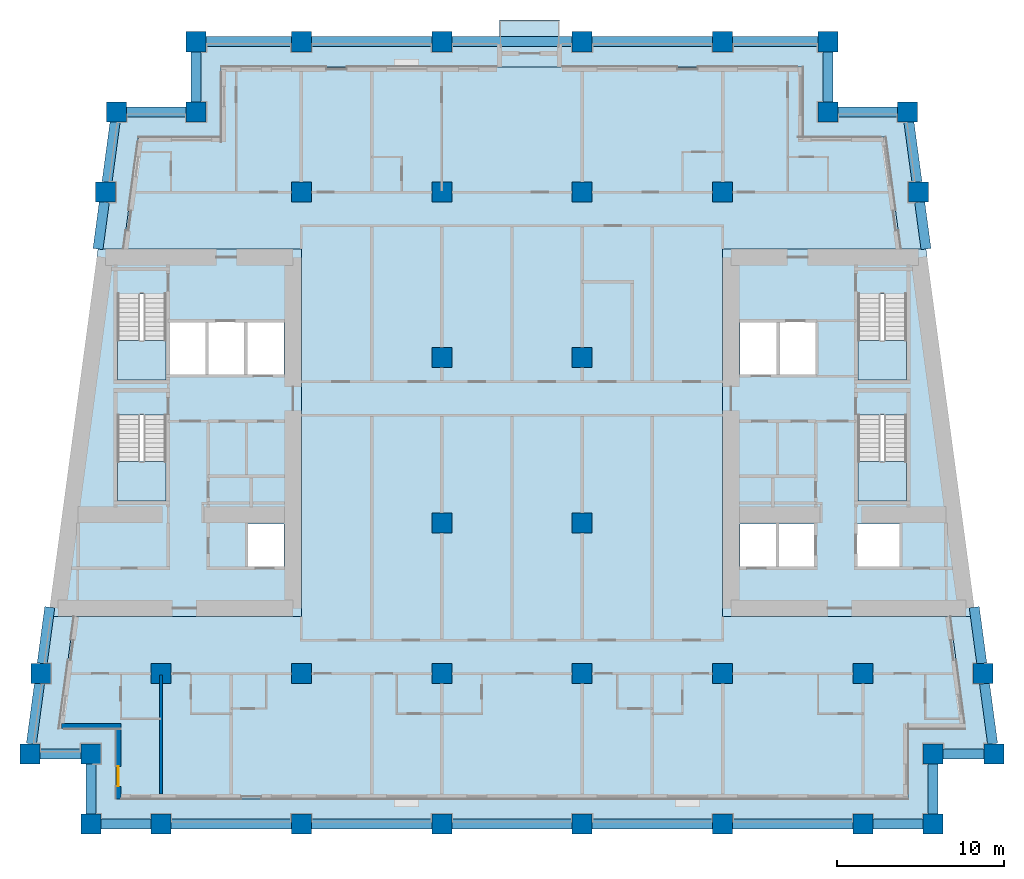
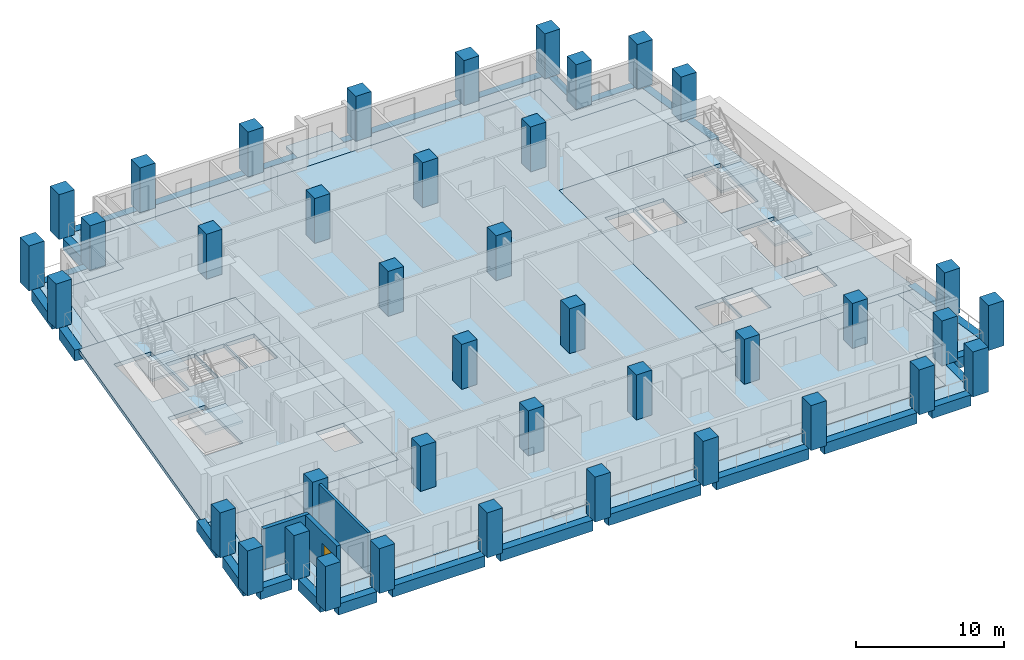
# One storey, part 1 of 13: 40 columns, 28 beams, 10 slabs, 3 walls, 1 door, 1 opening, 4 elements without a shape of their own.
"""IFC4 building model written with IfcOpenShell, lengths in metres."""

import ifcopenshell
import ifcopenshell.guid

model = None  # the IFC model being written
_history = None  # IfcOwnerHistory: only IFC2X3 demands one
_inside = {}  # id of a spatial element -> (the spatial element, [elements in it])
_under = {}  # id of a project, library or spatial element -> (it, [spatial elements below it])
_declared = {}  # id of a project -> (the project, [libraries it declares])
_typed = {}  # id of a type object -> (the type object, [elements of that type])
_made_of = {}  # id of a material, layer set ... -> (it, [elements and type objects made of it])


def new_model(schema):
    """Start an empty IFC model of exactly this schema.

    Asked for "IFC4X3", IfcOpenShell would pick the latest addendum, in which some entities
    have other attributes; the version numbers below select the first issue.
    IFC2X3 requires an IfcOwnerHistory on every rooted entity: one is made here for all.
    """
    global model, _history
    if schema == "IFC4X3":
        model = ifcopenshell.file(schema_version=(4, 3, 0, 0))
    else:
        model = ifcopenshell.file(schema=schema)
    _inside.clear()
    _under.clear()
    _declared.clear()
    _typed.clear()
    _made_of.clear()
    _history = None
    if model.schema == "IFC2X3":
        org = make("IfcOrganization", Name="unknown")
        user = make(
            "IfcPersonAndOrganization",
            ThePerson=make("IfcPerson", FamilyName="unknown"),
            TheOrganization=org,
        )
        app = make(
            "IfcApplication",
            ApplicationDeveloper=org,
            Version="unknown",
            ApplicationFullName="unknown",
            ApplicationIdentifier="unknown",
        )
        _history = make(
            "IfcOwnerHistory",
            OwningUser=user,
            OwningApplication=app,
            ChangeAction="ADDED",
            CreationDate=0,
        )
    return model


def make(cls, **values):
    """One entity of the class cls with the attributes given. An attribute that is None is left unset."""
    return model.create_entity(
        cls, **{name: value for name, value in values.items() if value is not None}
    )


def rooted(cls, **values):
    """An entity with a GlobalId (a new one), such as an element, a storey or a relation."""
    return make(cls, GlobalId=ifcopenshell.guid.new(), OwnerHistory=_history, **values)


def si_unit(unit_type, name, prefix=None):
    """IfcSIUnit, for example si_unit("LENGTHUNIT", "METRE", prefix="MILLI")."""
    return make("IfcSIUnit", UnitType=unit_type, Prefix=prefix, Name=name)


def assignment(units):
    """IfcUnitAssignment: the units of a project."""
    return None if units is None else make("IfcUnitAssignment", Units=units)


def point(xyz):
    """IfcCartesianPoint."""
    return None if xyz is None else make("IfcCartesianPoint", Coordinates=xyz)


def direction(xyz):
    """IfcDirection."""
    return None if xyz is None else make("IfcDirection", DirectionRatios=xyz)


def frame(location, z_axis=None, x_axis=None):
    """IfcAxis2Placement3D, a coordinate frame: its origin and axes. An axis left out is left unset."""
    return make(
        "IfcAxis2Placement3D",
        Location=point(location),
        Axis=direction(z_axis),
        RefDirection=direction(x_axis),
    )


def frame_2d(location, x_axis=None):
    """IfcAxis2Placement2D, a coordinate frame in the plane: its origin and x axis."""
    return make(
        "IfcAxis2Placement2D", Location=point(location), RefDirection=direction(x_axis)
    )


def origin():
    """The frame at (0, 0, 0) with its axes left unset."""
    return frame((0.0, 0.0, 0.0))


def origin_2d():
    """The frame at (0, 0) in the plane with its x axis left unset."""
    return frame_2d((0.0, 0.0))


def place(relative_to, where):
    """IfcLocalPlacement: puts the frame where relative to a parent placement (None: the world)."""
    return make(
        "IfcLocalPlacement", PlacementRelTo=relative_to, RelativePlacement=where
    )


def context(
    kind, dimensions, precision=None, world=None, true_north=None, identifier=None
):
    """IfcGeometricRepresentationContext, for example the 3D "Model" context."""
    return make(
        "IfcGeometricRepresentationContext",
        ContextIdentifier=identifier,
        ContextType=kind,
        CoordinateSpaceDimension=dimensions,
        Precision=precision,
        WorldCoordinateSystem=world,
        TrueNorth=true_north,
    )


def subcontext(parent, identifier, kind, view, scale=None):
    """IfcGeometricRepresentationSubContext, for example "Body" below "Model"."""
    return make(
        "IfcGeometricRepresentationSubContext",
        ContextIdentifier=identifier,
        ContextType=kind,
        ParentContext=parent,
        TargetScale=scale,
        TargetView=view,
    )


def project(units=None, contexts=None):
    """IfcProject with its units and contexts."""
    return rooted(
        "IfcProject",
        Name="project",
        RepresentationContexts=contexts,
        UnitsInContext=assignment(units),
    )


def spatial(cls, under=None, at=None, **own):
    """A site, building, storey or space (cls), placed at a placement, below another one or the project."""
    s = rooted(cls, ObjectPlacement=at, **own)
    if under is not None:
        _under.setdefault(under.id(), (under, []))[1].append(s)
    return s


def polyline(points):
    """IfcPolyline through the points."""
    return make("IfcPolyline", Points=[point(p) for p in points])


def profile(cls, at=None, kind="AREA", **sizes):
    """A parametric profile (cls). Its sizes go by their IFC names, for example OverallWidth=200.0."""
    return make(cls, ProfileType=kind, Position=at, **sizes)


def rectangle(**sizes):
    """IfcRectangleProfileDef."""
    return profile("IfcRectangleProfileDef", **sizes)


def outline(outer, holes=None, kind="AREA"):
    """IfcArbitraryClosedProfileDef: a profile drawn as a closed curve; with holes, ...WithVoids."""
    if holes is None:
        return make("IfcArbitraryClosedProfileDef", ProfileType=kind, OuterCurve=outer)
    return make(
        "IfcArbitraryProfileDefWithVoids",
        ProfileType=kind,
        OuterCurve=outer,
        InnerCurves=holes,
    )


def extrude(swept, where, along, depth):
    """IfcExtrudedAreaSolid: the profile swept, set in the frame where, extruded along a direction by depth."""
    return make(
        "IfcExtrudedAreaSolid",
        SweptArea=swept,
        Position=where,
        ExtrudedDirection=direction(along),
        Depth=depth,
    )


def shape(context_of_items, identifier, shape_type, items):
    """IfcShapeRepresentation: the items that make up one representation, for example the "Body"."""
    return make(
        "IfcShapeRepresentation",
        ContextOfItems=context_of_items,
        RepresentationIdentifier=identifier,
        RepresentationType=shape_type,
        Items=items,
    )


def material(Name=None, Category=None):
    """IfcMaterial."""
    return make("IfcMaterial", Name=Name, Category=Category)


def layer(
    of_material, thickness, ventilated=None, Name=None, Category=None, Priority=None
):
    """IfcMaterialLayer: one layer of a wall or slab, of a material (None: an air gap)."""
    return make(
        "IfcMaterialLayer",
        Material=of_material,
        LayerThickness=thickness,
        IsVentilated=ventilated,
        Name=Name,
        Category=Category,
        Priority=Priority,
    )


def layer_set(layers, Name=None):
    """IfcMaterialLayerSet."""
    return make("IfcMaterialLayerSet", MaterialLayers=layers, LayerSetName=Name)


def material_profile(
    of_material, cross_section, Name=None, Category=None, Priority=None
):
    """IfcMaterialProfile: a cross section and its material."""
    return make(
        "IfcMaterialProfile",
        Name=Name,
        Material=of_material,
        Profile=cross_section,
        Priority=Priority,
        Category=Category,
    )


def profile_set(profiles, Name=None, composite=None):
    """IfcMaterialProfileSet."""
    return make(
        "IfcMaterialProfileSet",
        Name=Name,
        MaterialProfiles=profiles,
        CompositeProfile=composite,
    )


def made_of(thing, what):
    """Note that an element or type object is made of a material, layer set ...; save() writes the relation."""
    if what is not None:
        _made_of.setdefault(what.id(), (what, []))[1].append(thing)
    return thing


def type_object(cls, material=None, **own):
    """A type object (cls), such as IfcWallType, which elements share."""
    return made_of(rooted(cls, **own), material)


def element(
    cls,
    number,
    at=None,
    inside=None,
    cuts=None,
    type_object=None,
    material=None,
    context=None,
    identifier="Body",
    shape_type=None,
    held_by="IfcProductDefinitionShape",
    body=None,
    shapes=None,
    **own,
):
    """One element of the class cls, such as IfcWall. Its Tag is "e" and its number.

    at: its placement. inside: the storey or other place that contains it. cuts: it is an
    opening in that element (IfcRelVoidsElement). A single representation is given by context,
    identifier, shape_type and body (its items); several are given by shapes. held_by: the class
    of the entity that holds the representations. save() writes the other relations.
    """
    e = rooted(cls, Tag="e%d" % number, ObjectPlacement=at, **own)
    if body is not None:
        shapes = [shape(context, identifier, shape_type, body)]
    if shapes is not None:
        e.Representation = make(held_by, Representations=shapes)
    if inside is not None:
        _inside.setdefault(inside.id(), (inside, []))[1].append(e)
    if cuts is not None:
        rooted(
            "IfcRelVoidsElement", RelatingBuildingElement=cuts, RelatedOpeningElement=e
        )
    if type_object is not None:
        _typed.setdefault(type_object.id(), (type_object, []))[1].append(e)
    return made_of(e, material)


def fill(opening, filler):
    """IfcRelFillsElement: the door or window that sits in an opening."""
    return rooted(
        "IfcRelFillsElement",
        RelatingOpeningElement=opening,
        RelatedBuildingElement=filler,
    )


def aggregate(whole, parts):
    """IfcRelAggregates: a whole, such as a stair, and the parts it consists of."""
    return rooted("IfcRelAggregates", RelatingObject=whole, RelatedObjects=parts)


def save(model, path):
    """Write the relations noted so far, then the file.

    IfcRelAggregates (storeys below a building ...), IfcRelContainedInSpatialStructure (elements
    in a storey), IfcRelDefinesByType, IfcRelAssociatesMaterial and IfcRelDeclares: one each for
    every whole, place, type object, material and project.
    """
    for whole, parts in _under.values():
        aggregate(whole, parts)
    for where, things in _inside.values():
        rooted(
            "IfcRelContainedInSpatialStructure",
            RelatedElements=things,
            RelatingStructure=where,
        )
    for kind, things in _typed.values():
        rooted("IfcRelDefinesByType", RelatedObjects=things, RelatingType=kind)
    for what, things in _made_of.values():
        rooted("IfcRelAssociatesMaterial", RelatedObjects=things, RelatingMaterial=what)
    for by, libraries in _declared.values():
        rooted("IfcRelDeclares", RelatingContext=by, RelatedDefinitions=libraries)
    model.write(path)


model = new_model("IFC4")

# Units and contexts
model_context = context("Model", 3, precision=1e-05, world=origin(), true_north=direction((0.0, 1.0)))
body_context = subcontext(model_context, "Body", "Model", "MODEL_VIEW")
ifc_project = project(units=[si_unit("LENGTHUNIT", "METRE"), si_unit("AREAUNIT", "SQUARE_METRE"), si_unit("VOLUMEUNIT", "CUBIC_METRE"), si_unit("PLANEANGLEUNIT", "RADIAN"), si_unit("MASSUNIT", "GRAM", prefix="KILO")], contexts=[model_context])

# Site, building, storey
site_placement = place(None, origin())
site = spatial("IfcSite", under=ifc_project, at=site_placement, CompositionType="ELEMENT")
building_placement = place(site_placement, origin())
building = spatial("IfcBuilding", under=site, at=building_placement, Name="Candeia Pilgrim Tower and Theatre", CompositionType="ELEMENT")
storey_placement = place(building_placement, frame((0.0, 0.0, 102.10009765625)))
storey = spatial("IfcBuildingStorey", under=building, at=storey_placement, Name="L23", CompositionType="ELEMENT", Elevation=102.10009765625)

# Columns
ifc_material_1 = material(Name="Concrete C70/85", Category="concrete")
ifc_material_profile_1 = material_profile(ifc_material_1, rectangle(XDim=1.199951171875, YDim=1.199951171875, at=origin_2d()))
ifc_profile_set_1 = profile_set([ifc_material_profile_1], Name="Concrete C70/85")
column_type = type_object("IfcColumnType", Name="RC 1200x1200 C70/85", PredefinedType="COLUMN", material=ifc_profile_set_1)
for number, where, z_axis, x_axis, name in (
    (1, (92.39990234375, 98.0, 0.0), (0.0, 0.0, 1.0), (1.0, 0.0, 0.0), "Column A1"),
    (2, (100.800048828125, 98.0, 0.0), (0.0, 0.0, 1.0), (1.0, 0.0, 0.0), "Column A2"),
    (3, (109.199951171875, 98.0, 0.0), (0.0, 0.0, 1.0), (1.0, 0.0, 0.0), "Column A3"),
    (4, (117.60009765625, 98.0, 0.0), (0.0, 0.0, 1.0), (1.0, 0.0, 0.0), "Column A4"),
    (5, (126.0, 98.0, 0.0), (0.0, 0.0, 1.0), (1.0, 0.0, 0.0), "Column A5"),
    (6, (134.39990234375, 98.0, 0.0), (0.0, 0.0, 1.0), (1.0, 0.0, 0.0), "Column A6"),
    (7, (88.199951171875, 98.0, 0.0), (0.0, 0.0, 1.0), (1.0, 0.0, 0.0), "Column AW"),
    (8, (138.60009765625, 98.0, 0.0), (0.0, 0.0, 1.0), (1.0, 0.0, 0.0), "Column AE"),
    (9, (88.199951171875, 102.199951171875, 0.0), (0.0, 0.0, 1.0), (1.0, 0.0, 0.0), "Column NSW"),
    (10, (138.60009765625, 102.199951171875, 0.0), (0.0, 0.0, 1.0), (1.0, 0.0, 0.0), "Column NSE"),
    (11, (94.5, 140.60009765625, 0.0), (0.0, 0.0, 1.0), (1.0, 0.0, 0.0), "Column NNW"),
    (12, (132.300048828125, 140.60009765625, 0.0), (0.0, 0.0, 1.0), (1.0, 0.0, 0.0), "Column NNE"),
    (13, (84.5654296875, 102.199951171875, 0.0), (0.0, 0.0, 1.0), (1.0, 0.0, 0.0), "Column LSW"),
    (14, (142.234619140625, 102.199951171875, 0.0), (0.0, 0.0, 1.0), (1.0, 0.0, 0.0), "Column LSE"),
    (15, (89.734619140625, 140.60009765625, 0.0), (0.0, 0.0, 1.0), (1.0, 0.0, 0.0), "Column LNW"),
    (16, (137.0654296875, 140.60009765625, 0.0), (0.0, 0.0, 1.0), (1.0, 0.0, 0.0), "Column LNE"),
    (17, (92.39990234375, 107.0, 0.0), (0.0, 0.0, 1.0), (1.0, 0.0, 0.0), "Column B1"),
    (18, (100.800048828125, 107.0, 0.0), (0.0, 0.0, 1.0), (1.0, 0.0, 0.0), "Column B2"),
    (19, (109.199951171875, 107.0, 0.0), (0.0, 0.0, 1.0), (1.0, 0.0, 0.0), "Column B3"),
    (20, (117.60009765625, 107.0, 0.0), (0.0, 0.0, 1.0), (1.0, 0.0, 0.0), "Column B4"),
    (21, (126.0, 107.0, 0.0), (0.0, 0.0, 1.0), (1.0, 0.0, 0.0), "Column B5"),
    (22, (134.39990234375, 107.0, 0.0), (0.0, 0.0, 1.0), (1.0, 0.0, 0.0), "Column B6"),
    (23, (85.21142578125, 107.0, 0.0), (0.0, 0.0, 1.0), (1.0, 0.0, 0.0), "Column BW"),
    (24, (141.58837890625, 107.0, 0.0), (0.0, 0.0, 1.0), (1.0, 0.0, 0.0), "Column BE"),
    (25, (109.199951171875, 116.0, 0.0), (0.0, 0.0, 1.0), (1.0, 0.0, 0.0), "Column C3"),
    (26, (117.60009765625, 116.0, 0.0), (0.0, 0.0, 1.0), (1.0, 0.0, 0.0), "Column C4"),
    (27, (109.199951171875, 125.89990234375, 0.0), (0.0, 0.0, 1.0), (1.0, 0.0, 0.0), "Column D3"),
    (28, (117.60009765625, 125.89990234375, 0.0), (0.0, 0.0, 1.0), (1.0, 0.0, 0.0), "Column D4"),
    (29, (100.800048828125, 135.800048828125, 0.0), (0.0, 0.0, 1.0), (1.0, 0.0, 0.0), "Column E2"),
    (30, (109.199951171875, 135.800048828125, 0.0), (0.0, 0.0, 1.0), (1.0, 0.0, 0.0), "Column E3"),
    (31, (117.60009765625, 135.800048828125, 0.0), (0.0, 0.0, 1.0), (1.0, 0.0, 0.0), "Column E4"),
    (32, (126.0, 135.800048828125, 0.0), (0.0, 0.0, 1.0), (1.0, 0.0, 0.0), "Column E5"),
    (33, (89.08837890625, 135.800048828125, 0.0), (0.0, 0.0, 1.0), (1.0, 0.0, 0.0), "Column EW"),
    (34, (137.71142578125, 135.800048828125, 0.0), (0.0, 0.0, 1.0), (1.0, 0.0, 0.0), "Column EE"),
    (35, (100.800048828125, 144.800048828125, 0.0), (0.0, 0.0, 1.0), (1.0, 0.0, 0.0), "Column F2"),
    (36, (109.199951171875, 144.800048828125, 0.0), (0.0, 0.0, 1.0), (1.0, 0.0, 0.0), "Column F3"),
    (37, (117.60009765625, 144.800048828125, 0.0), (0.0, 0.0, 1.0), (1.0, 0.0, 0.0), "Column F4"),
    (38, (126.0, 144.800048828125, 0.0), (0.0, 0.0, 1.0), (1.0, 0.0, 0.0), "Column F5"),
    (39, (94.5, 144.800048828125, 0.0), (0.0, 0.0, 1.0), (1.0, 0.0, 0.0), "Column FW"),
    (40, (132.300048828125, 144.800048828125, 0.0), (0.0, 0.0, 1.0), (1.0, 0.0, 0.0), "Column FE"),
):
    element("IfcColumn", number, at=place(storey_placement, frame(where, z_axis=z_axis, x_axis=x_axis)), inside=storey, type_object=column_type, Name=name, PredefinedType="COLUMN", context=body_context, shape_type="SweptSolid", body=[
        extrude(rectangle(XDim=1.199951171875, YDim=1.199951171875, at=origin_2d()), origin(), (0.0, 0.0, 1.0), 3.699951171875),
    ])

# Beams
ifc_material_profile_2 = material_profile(ifc_material_1, rectangle(XDim=0.60009765625, YDim=0.89990234375, at=origin_2d()))
ifc_profile_set_2 = profile_set([ifc_material_profile_2], Name="Concrete C70/85")
beam_type = type_object("IfcBeamType", Name="RC 600x900 C70/85", PredefinedType="BEAM", material=ifc_profile_set_2)
beam_1_placement = place(storey_placement, frame((88.800048828125, 98.0, -0.4501953125), z_axis=(1.0, 0.0, 0.0), x_axis=(0.0, 1.0, 0.0)))
element("IfcBeam", 41, at=beam_1_placement, inside=storey, type_object=beam_type, Name="Spandrel beam L23-01", PredefinedType="BEAM", context=body_context, shape_type="SweptSolid", body=[
    extrude(rectangle(XDim=0.60009765625, YDim=0.89990234375, at=origin_2d()), origin(), (0.0, 0.0, 1.0), 3.0),
])
beam_2_placement = place(storey_placement, frame((93.0, 98.0, -0.4501953125), z_axis=(1.0, 0.0, 0.0), x_axis=(0.0, 1.0, 0.0)))
element("IfcBeam", 42, at=beam_2_placement, inside=storey, type_object=beam_type, Name="Spandrel beam L23-02", PredefinedType="BEAM", context=body_context, shape_type="SweptSolid", body=[
    extrude(rectangle(XDim=0.60009765625, YDim=0.89990234375, at=origin_2d()), origin(), (0.0, 0.0, 1.0), 7.199951171875),
])
beam_3_placement = place(storey_placement, frame((101.39990234375, 98.0, -0.4501953125), z_axis=(1.0, 0.0, 0.0), x_axis=(0.0, 1.0, 0.0)))
element("IfcBeam", 43, at=beam_3_placement, inside=storey, type_object=beam_type, Name="Spandrel beam L23-03", PredefinedType="BEAM", context=body_context, shape_type="SweptSolid", body=[
    extrude(rectangle(XDim=0.60009765625, YDim=0.89990234375, at=origin_2d()), origin(), (0.0, 0.0, 1.0), 7.2001953125),
])
for number, where, z_axis, x_axis, name in (
    (44, (109.800048828125, 98.0, -0.4501953125), (1.0, 0.0, 0.0), (0.0, 1.0, 0.0), "Spandrel beam L23-04"),
    (45, (118.199951171875, 98.0, -0.4501953125), (1.0, 0.0, 0.0), (0.0, 1.0, 0.0), "Spandrel beam L23-05"),
    (46, (126.60009765625, 98.0, -0.4501953125), (1.0, 0.0, 0.0), (0.0, 1.0, 0.0), "Spandrel beam L23-06"),
):
    element("IfcBeam", number, at=place(storey_placement, frame(where, z_axis=z_axis, x_axis=x_axis)), inside=storey, type_object=beam_type, Name=name, PredefinedType="BEAM", context=body_context, shape_type="SweptSolid", body=[
        extrude(rectangle(XDim=0.60009765625, YDim=0.89990234375, at=origin_2d()), origin(), (0.0, 0.0, 1.0), 7.199951171875),
    ])
for number, where, z_axis, x_axis, name in (
    (47, (135.0, 98.0, -0.4501953125), (1.0, 0.0, 0.0), (0.0, 1.0, 0.0), "Spandrel beam L23-07"),
    (48, (138.60009765625, 98.60009765625, -0.4501953125), (0.0, 1.0, 0.0), (-1.0, 0.0, 0.0), "Spandrel beam L23-08"),
):
    element("IfcBeam", number, at=place(storey_placement, frame(where, z_axis=z_axis, x_axis=x_axis)), inside=storey, type_object=beam_type, Name=name, PredefinedType="BEAM", context=body_context, shape_type="SweptSolid", body=[
        extrude(rectangle(XDim=0.60009765625, YDim=0.89990234375, at=origin_2d()), origin(), (0.0, 0.0, 1.0), 3.0),
    ])
beam_4_placement = place(storey_placement, frame((139.199951171875, 102.199951171875, -0.4501953125), z_axis=(1.0, 0.0, 0.0), x_axis=(0.0, 1.0, 0.0)))
element("IfcBeam", 49, at=beam_4_placement, inside=storey, type_object=beam_type, Name="Spandrel beam L23-09", PredefinedType="BEAM", context=body_context, shape_type="SweptSolid", body=[
    extrude(rectangle(XDim=0.60009765625, YDim=0.89990234375, at=origin_2d()), origin(), (0.0, 0.0, 1.0), 2.4345703125),
])
beam_5_placement = place(storey_placement, frame((142.15380859375, 102.800048828125, -0.4501953125), z_axis=(-0.133418359924, 0.991059807093, 0.0), x_axis=(-0.991059807093, -0.133418359924, 0.0)))
element("IfcBeam", 50, at=beam_5_placement, inside=storey, type_object=beam_type, Name="Spandrel beam L23-10", PredefinedType="BEAM", context=body_context, shape_type="SweptSolid", body=[
    extrude(rectangle(XDim=0.60009765625, YDim=0.89990234375, at=origin_2d()), origin(), (0.0, 0.0, 1.0), 3.63232421875),
])
beam_6_placement = place(storey_placement, frame((141.5078125, 107.60009765625, -0.4501953125), z_axis=(-0.133458165992, 0.99105444751, 0.0), x_axis=(-0.99105444751, -0.133458165992, 0.0)))
element("IfcBeam", 51, at=beam_6_placement, inside=storey, type_object=beam_type, Name="Spandrel beam L23-11", PredefinedType="BEAM", context=body_context, shape_type="SweptSolid", body=[
    extrude(rectangle(XDim=0.60009765625, YDim=0.89990234375, at=origin_2d()), origin(), (0.0, 0.0, 1.0), 3.39697265625),
])
beam_7_placement = place(storey_placement, frame((138.169189453125, 132.39990234375, -0.4501953125), z_axis=(-0.133420173099, 0.991059562998, 0.0), x_axis=(-0.991059562998, -0.133420173099, 0.0)))
element("IfcBeam", 52, at=beam_7_placement, inside=storey, type_object=beam_type, Name="Spandrel beam L23-12", PredefinedType="BEAM", context=body_context, shape_type="SweptSolid", body=[
    extrude(rectangle(XDim=0.60009765625, YDim=0.89990234375, at=origin_2d()), origin(), (0.0, 0.0, 1.0), 2.8251953125),
])
beam_8_placement = place(storey_placement, frame((137.630859375, 136.39990234375, -0.4501953125), z_axis=(-0.133409473196, 0.991061003401, 0.0), x_axis=(-0.991061003401, -0.133409473196, 0.0)))
element("IfcBeam", 53, at=beam_8_placement, inside=storey, type_object=beam_type, Name="Spandrel beam L23-13", PredefinedType="BEAM", context=body_context, shape_type="SweptSolid", body=[
    extrude(rectangle(XDim=0.60009765625, YDim=0.89990234375, at=origin_2d()), origin(), (0.0, 0.0, 1.0), 3.632568359375),
])
beam_9_placement = place(storey_placement, frame((136.46533203125, 140.60009765625, -0.4501953125), z_axis=(-1.0, 0.0, 0.0), x_axis=(0.0, -1.0, 0.0)))
element("IfcBeam", 54, at=beam_9_placement, inside=storey, type_object=beam_type, Name="Spandrel beam L23-14", PredefinedType="BEAM", context=body_context, shape_type="SweptSolid", body=[
    extrude(rectangle(XDim=0.60009765625, YDim=0.89990234375, at=origin_2d()), origin(), (0.0, 0.0, 1.0), 3.5654296875),
])
beam_10_placement = place(storey_placement, frame((132.300048828125, 141.199951171875, -0.4501953125), z_axis=(0.0, 1.0, 0.0), x_axis=(-1.0, 0.0, 0.0)))
element("IfcBeam", 55, at=beam_10_placement, inside=storey, type_object=beam_type, Name="Spandrel beam L23-15", PredefinedType="BEAM", context=body_context, shape_type="SweptSolid", body=[
    extrude(rectangle(XDim=0.60009765625, YDim=0.89990234375, at=origin_2d()), origin(), (0.0, 0.0, 1.0), 3.0),
])
beam_11_placement = place(storey_placement, frame((131.699951171875, 144.800048828125, -0.4501953125), z_axis=(-1.0, 0.0, 0.0), x_axis=(0.0, -1.0, 0.0)))
element("IfcBeam", 56, at=beam_11_placement, inside=storey, type_object=beam_type, Name="Spandrel beam L23-16", PredefinedType="BEAM", context=body_context, shape_type="SweptSolid", body=[
    extrude(rectangle(XDim=0.60009765625, YDim=0.89990234375, at=origin_2d()), origin(), (0.0, 0.0, 1.0), 5.099853515625),
])
for number, where, z_axis, x_axis, name in (
    (57, (125.39990234375, 144.800048828125, -0.4501953125), (-1.0, 0.0, 0.0), (0.0, -1.0, 0.0), "Spandrel beam L23-17"),
    (58, (117.0, 144.800048828125, -0.4501953125), (-1.0, 0.0, 0.0), (0.0, -1.0, 0.0), "Spandrel beam L23-18"),
):
    element("IfcBeam", number, at=place(storey_placement, frame(where, z_axis=z_axis, x_axis=x_axis)), inside=storey, type_object=beam_type, Name=name, PredefinedType="BEAM", context=body_context, shape_type="SweptSolid", body=[
        extrude(rectangle(XDim=0.60009765625, YDim=0.89990234375, at=origin_2d()), origin(), (0.0, 0.0, 1.0), 7.199951171875),
    ])
beam_12_placement = place(storey_placement, frame((108.60009765625, 144.800048828125, -0.4501953125), z_axis=(-1.0, 0.0, 0.0), x_axis=(0.0, -1.0, 0.0)))
element("IfcBeam", 59, at=beam_12_placement, inside=storey, type_object=beam_type, Name="Spandrel beam L23-19", PredefinedType="BEAM", context=body_context, shape_type="SweptSolid", body=[
    extrude(rectangle(XDim=0.60009765625, YDim=0.89990234375, at=origin_2d()), origin(), (0.0, 0.0, 1.0), 7.2001953125),
])
beam_13_placement = place(storey_placement, frame((100.199951171875, 144.800048828125, -0.4501953125), z_axis=(-1.0, 0.0, 0.0), x_axis=(0.0, -1.0, 0.0)))
element("IfcBeam", 60, at=beam_13_placement, inside=storey, type_object=beam_type, Name="Spandrel beam L23-20", PredefinedType="BEAM", context=body_context, shape_type="SweptSolid", body=[
    extrude(rectangle(XDim=0.60009765625, YDim=0.89990234375, at=origin_2d()), origin(), (0.0, 0.0, 1.0), 5.099853515625),
])
beam_14_placement = place(storey_placement, frame((94.5, 144.199951171875, -0.4501953125), z_axis=(0.0, -1.0, 0.0), x_axis=(1.0, 0.0, 0.0)))
element("IfcBeam", 61, at=beam_14_placement, inside=storey, type_object=beam_type, Name="Spandrel beam L23-21", PredefinedType="BEAM", context=body_context, shape_type="SweptSolid", body=[
    extrude(rectangle(XDim=0.60009765625, YDim=0.89990234375, at=origin_2d()), origin(), (0.0, 0.0, 1.0), 3.0),
])
beam_15_placement = place(storey_placement, frame((93.89990234375, 140.60009765625, -0.4501953125), z_axis=(-1.0, 0.0, 0.0), x_axis=(0.0, -1.0, 0.0)))
element("IfcBeam", 62, at=beam_15_placement, inside=storey, type_object=beam_type, Name="Spandrel beam L23-22", PredefinedType="BEAM", context=body_context, shape_type="SweptSolid", body=[
    extrude(rectangle(XDim=0.60009765625, YDim=0.89990234375, at=origin_2d()), origin(), (0.0, 0.0, 1.0), 3.565185546875),
])
beam_16_placement = place(storey_placement, frame((89.65380859375, 140.0, -0.4501953125), z_axis=(-0.133409473196, -0.991061003401, 0.0), x_axis=(0.991061003401, -0.133409473196, 0.0)))
element("IfcBeam", 63, at=beam_16_placement, inside=storey, type_object=beam_type, Name="Spandrel beam L23-23", PredefinedType="BEAM", context=body_context, shape_type="SweptSolid", body=[
    extrude(rectangle(XDim=0.60009765625, YDim=0.89990234375, at=origin_2d()), origin(), (0.0, 0.0, 1.0), 3.632568359375),
])
beam_17_placement = place(storey_placement, frame((89.0078125, 135.199951171875, -0.4501953125), z_axis=(-0.133420173099, -0.991059562998, 0.0), x_axis=(0.991059562998, -0.133420173099, 0.0)))
element("IfcBeam", 64, at=beam_17_placement, inside=storey, type_object=beam_type, Name="Spandrel beam L23-24", PredefinedType="BEAM", context=body_context, shape_type="SweptSolid", body=[
    extrude(rectangle(XDim=0.60009765625, YDim=0.89990234375, at=origin_2d()), origin(), (0.0, 0.0, 1.0), 2.8251953125),
])
beam_18_placement = place(storey_placement, frame((85.74560546875, 110.966796875, -0.4501953125), z_axis=(-0.133458165992, -0.99105444751, 0.0), x_axis=(0.99105444751, -0.133458165992, 0.0)))
element("IfcBeam", 65, at=beam_18_placement, inside=storey, type_object=beam_type, Name="Spandrel beam L23-25", PredefinedType="BEAM", context=body_context, shape_type="SweptSolid", body=[
    extrude(rectangle(XDim=0.60009765625, YDim=0.89990234375, at=origin_2d()), origin(), (0.0, 0.0, 1.0), 3.39697265625),
])
beam_19_placement = place(storey_placement, frame((85.130859375, 106.39990234375, -0.4501953125), z_axis=(-0.133418359924, -0.991059807093, 0.0), x_axis=(0.991059807093, -0.133418359924, 0.0)))
element("IfcBeam", 66, at=beam_19_placement, inside=storey, type_object=beam_type, Name="Spandrel beam L23-26", PredefinedType="BEAM", context=body_context, shape_type="SweptSolid", body=[
    extrude(rectangle(XDim=0.60009765625, YDim=0.89990234375, at=origin_2d()), origin(), (0.0, 0.0, 1.0), 3.63232421875),
])
beam_20_placement = place(storey_placement, frame((85.165283203125, 102.199951171875, -0.4501953125), z_axis=(1.0, 0.0, 0.0), x_axis=(0.0, 1.0, 0.0)))
element("IfcBeam", 67, at=beam_20_placement, inside=storey, type_object=beam_type, Name="Spandrel beam L23-27", PredefinedType="BEAM", context=body_context, shape_type="SweptSolid", body=[
    extrude(rectangle(XDim=0.60009765625, YDim=0.89990234375, at=origin_2d()), origin(), (0.0, 0.0, 1.0), 2.434814453125),
])
beam_21_placement = place(storey_placement, frame((88.199951171875, 101.60009765625, -0.4501953125), z_axis=(0.0, -1.0, 0.0), x_axis=(1.0, 0.0, 0.0)))
element("IfcBeam", 68, at=beam_21_placement, inside=storey, type_object=beam_type, Name="Spandrel beam L23-28", PredefinedType="BEAM", context=body_context, shape_type="SweptSolid", body=[
    extrude(rectangle(XDim=0.60009765625, YDim=0.89990234375, at=origin_2d()), origin(), (0.0, 0.0, 1.0), 3.0),
])

# Slabs
ifc_material_2 = material(Name="Concrete C40/50", Category="concrete")
ifc_layer_1 = layer(ifc_material_2, 0.25)
ifc_layer_set_1 = layer_set([ifc_layer_1], Name="BK1 balcony slab 250")
slab_type_1 = type_object("IfcSlabType", Name="BK1 balcony slab 250", PredefinedType="USERDEFINED", material=ifc_layer_set_1)
slab_1_placement = place(storey_placement, frame((0.0, 0.0, -0.25)))
element("IfcSlab", 69, at=slab_1_placement, inside=storey, type_object=slab_type_1, Name="Balcony L23", ObjectType="BALCONY", PredefinedType="USERDEFINED", context=body_context, shape_type="SweptSolid", body=[
    extrude(outline(polyline([(112.64990234375, 144.5), (116.25, 144.5), (116.25, 146.10009765625), (112.64990234375, 146.10009765625), (112.64990234375, 144.5)])), origin(), (0.0, 0.0, 1.0), 0.25),
])
ifc_material_3 = material(Name="Concrete C60/75", Category="concrete")
ifc_layer_2 = layer(ifc_material_3, 0.320068359375)
ifc_layer_set_2 = layer_set([ifc_layer_2], Name="FS-CORE 320 core floor")
slab_type_2 = type_object("IfcSlabType", Name="FS-CORE 320 core floor", PredefinedType="FLOOR", material=ifc_layer_set_2)
slab_2_placement = place(storey_placement, frame((0.0, 0.0, -0.320068359375)))
element("IfcSlab", 70, at=slab_2_placement, inside=storey, type_object=slab_type_2, Name="Core floor W L23", PredefinedType="FLOOR", context=body_context, shape_type="SweptSolid", body=[
    extrude(outline(polyline([(100.800048828125, 132.39990234375), (100.800048828125, 110.39990234375), (85.669189453125, 110.39990234375), (88.630859375, 132.39990234375), (100.800048828125, 132.39990234375)]), holes=[polyline([(97.525634765625, 128.050048828125), (97.525634765625, 124.85009765625), (99.75, 124.85009765625), (99.75, 128.050048828125), (97.525634765625, 128.050048828125)]), polyline([(97.5634765625, 113.35009765625), (99.75, 113.35009765625), (99.75, 115.949951171875), (97.5634765625, 115.949951171875), (97.5634765625, 113.35009765625)]), polyline([(95.201416015625, 124.85009765625), (97.42578125, 124.85009765625), (97.42578125, 128.050048828125), (95.201416015625, 128.050048828125), (95.201416015625, 124.85009765625)]), polyline([(92.876953125, 128.050048828125), (92.876953125, 124.85009765625), (95.101318359375, 124.85009765625), (95.101318359375, 128.050048828125), (92.876953125, 128.050048828125)]), polyline([(89.802001953125, 122.455078125), (89.802001953125, 117.324951171875), (92.701904296875, 117.324951171875), (92.701904296875, 122.455078125), (89.802001953125, 122.455078125)]), polyline([(89.802001953125, 129.705078125), (89.802001953125, 124.574951171875), (92.701904296875, 124.574951171875), (92.701904296875, 129.705078125), (89.802001953125, 129.705078125)])]), origin(), (0.0, 0.0, 1.0), 0.320068359375),
])
slab_3_placement = place(storey_placement, frame((0.0, 0.0, -0.320068359375)))
element("IfcSlab", 71, at=slab_3_placement, inside=storey, type_object=slab_type_2, Name="Core floor E L23", PredefinedType="FLOOR", context=body_context, shape_type="SweptSolid", body=[
    extrude(outline(polyline([(138.169189453125, 132.39990234375), (141.130859375, 110.39990234375), (126.0, 110.39990234375), (126.0, 132.39990234375), (138.169189453125, 132.39990234375)]), holes=[polyline([(134.097900390625, 122.455078125), (134.097900390625, 117.324951171875), (136.998046875, 117.324951171875), (136.998046875, 122.455078125), (134.097900390625, 122.455078125)]), polyline([(134.097900390625, 129.705078125), (134.097900390625, 124.574951171875), (136.998046875, 124.574951171875), (136.998046875, 129.705078125), (134.097900390625, 129.705078125)]), polyline([(136.6220703125, 115.949951171875), (134.02294921875, 115.949951171875), (134.02294921875, 113.35009765625), (136.6220703125, 113.35009765625), (136.6220703125, 115.949951171875)]), polyline([(131.5986328125, 128.050048828125), (129.374267578125, 128.050048828125), (129.374267578125, 124.85009765625), (131.5986328125, 124.85009765625), (131.5986328125, 128.050048828125)]), polyline([(131.52294921875, 115.949951171875), (129.33642578125, 115.949951171875), (129.33642578125, 113.35009765625), (131.52294921875, 113.35009765625), (131.52294921875, 115.949951171875)]), polyline([(129.2744140625, 128.050048828125), (127.050048828125, 128.050048828125), (127.050048828125, 124.85009765625), (129.2744140625, 124.85009765625), (129.2744140625, 128.050048828125)]), polyline([(127.050048828125, 115.949951171875), (127.050048828125, 113.35009765625), (129.236572265625, 113.35009765625), (129.236572265625, 115.949951171875), (127.050048828125, 115.949951171875)])]), origin(), (0.0, 0.0, 1.0), 0.320068359375),
])
ifc_material_4 = material(Name="Concrete C50/60", Category="concrete")
ifc_layer_3 = layer(ifc_material_4, 0.320068359375)
ifc_layer_set_3 = layer_set([ifc_layer_3], Name="Floor slab 320 C50/60")
slab_type_3 = type_object("IfcSlabType", Name="Floor slab 320 C50/60", PredefinedType="FLOOR", material=ifc_layer_set_3)
slab_4_placement = place(storey_placement, frame((0.0, 0.0, -0.320068359375)))
element("IfcSlab", 72, at=slab_4_placement, inside=storey, type_object=slab_type_3, Name="Floor slab L23", PredefinedType="FLOOR", context=body_context, shape_type="SweptSolid", body=[
    extrude(outline(polyline([(96.0, 139.10009765625), (96.0, 143.300048828125), (130.800048828125, 143.300048828125), (130.800048828125, 139.10009765625), (135.753662109375, 139.10009765625), (136.65576171875, 132.39990234375), (126.0, 132.39990234375), (126.0, 110.39990234375), (139.6171875, 110.39990234375), (140.51904296875, 103.699951171875), (137.10009765625, 103.699951171875), (137.10009765625, 99.5), (89.699951171875, 99.5), (89.699951171875, 103.699951171875), (86.28076171875, 103.699951171875), (87.182861328125, 110.39990234375), (100.800048828125, 110.39990234375), (100.800048828125, 132.39990234375), (90.144287109375, 132.39990234375), (91.046142578125, 139.10009765625), (96.0, 139.10009765625)])), origin(), (0.0, 0.0, 1.0), 0.320068359375),
])
ifc_layer_4 = layer(ifc_material_2, 0.25)
ifc_layer_set_4 = layer_set([ifc_layer_4], Name="Loggia slab 250 C40/50")
slab_type_4 = type_object("IfcSlabType", Name="Loggia slab 250 C40/50", PredefinedType="FLOOR", material=ifc_layer_set_4)
slab_5_placement = place(storey_placement, frame((0.0, 0.0, -0.25)))
element("IfcSlab", 73, at=slab_5_placement, inside=storey, type_object=slab_type_4, Name="Loggia slab L23 1", PredefinedType="FLOOR", context=body_context, shape_type="SweptSolid", body=[
    extrude(outline(polyline([(87.182861328125, 110.39990234375), (86.28076171875, 103.699951171875), (89.699951171875, 103.699951171875), (89.699951171875, 99.5), (137.10009765625, 99.5), (137.10009765625, 103.699951171875), (140.51904296875, 103.699951171875), (139.6171875, 110.39990234375), (140.828125, 110.39990234375), (141.8916015625, 102.5), (138.300048828125, 102.5), (138.300048828125, 98.300048828125), (88.5, 98.300048828125), (88.5, 102.5), (84.908447265625, 102.5), (85.971923828125, 110.39990234375), (87.182861328125, 110.39990234375)])), origin(), (0.0, 0.0, 1.0), 0.25),
])
slab_6_placement = place(storey_placement, frame((0.0, 0.0, -0.25)))
element("IfcSlab", 74, at=slab_6_placement, inside=storey, type_object=slab_type_4, Name="Loggia slab L23 2", PredefinedType="FLOOR", context=body_context, shape_type="SweptSolid", body=[
    extrude(outline(polyline([(136.65576171875, 132.39990234375), (135.753662109375, 139.10009765625), (130.800048828125, 139.10009765625), (130.800048828125, 143.300048828125), (96.0, 143.300048828125), (96.0, 139.10009765625), (91.046142578125, 139.10009765625), (90.144287109375, 132.39990234375), (88.93359375, 132.39990234375), (89.996826171875, 140.300048828125), (94.800048828125, 140.300048828125), (94.800048828125, 144.5), (132.0, 144.5), (132.0, 140.300048828125), (136.802978515625, 140.300048828125), (137.866455078125, 132.39990234375), (136.65576171875, 132.39990234375)])), origin(), (0.0, 0.0, 1.0), 0.25),
])

# Stair, slab
stair_type = type_object("IfcStairType", Name="ST-TWR dog-leg escape stair", PredefinedType="HALF_TURN_STAIR", material=ifc_material_2)
stair_1_placement = place(storey_placement, origin())
stair_1 = element("IfcStair", 75, at=stair_1_placement, inside=storey, type_object=stair_type, Name="L23 Escape stair ST1", PredefinedType="HALF_TURN_STAIR")
ifc_layer_5 = layer(ifc_material_2, 0.199951171875)
ifc_layer_set_5 = layer_set([ifc_layer_5], Name="SL-LANDING stair landing")
slab_type_5 = type_object("IfcSlabType", Name="SL-LANDING stair landing", PredefinedType="LANDING", material=ifc_layer_set_5)
slab_7_placement = place(storey_placement, frame((0.0, 0.0, 1.64990234375)))
slab_7 = element("IfcSlab", 76, at=slab_7_placement, type_object=slab_type_5, Name="ST1 landing 1", PredefinedType="LANDING", context=body_context, shape_type="SweptSolid", body=[
    extrude(outline(polyline([(89.802001953125, 119.675048828125), (89.802001953125, 117.324951171875), (92.701904296875, 117.324951171875), (92.701904296875, 119.675048828125), (89.802001953125, 119.675048828125)])), origin(), (0.0, 0.0, 1.0), 0.199951171875),
])
aggregate(stair_1, [slab_7])

stair_2_placement = place(storey_placement, origin())
stair_2 = element("IfcStair", 77, at=stair_2_placement, inside=storey, type_object=stair_type, Name="L23 Escape stair ST2", PredefinedType="HALF_TURN_STAIR")
slab_8_placement = place(storey_placement, frame((0.0, 0.0, 1.64990234375)))
slab_8 = element("IfcSlab", 78, at=slab_8_placement, type_object=slab_type_5, Name="ST2 landing 1", PredefinedType="LANDING", context=body_context, shape_type="SweptSolid", body=[
    extrude(outline(polyline([(89.802001953125, 126.925048828125), (89.802001953125, 124.574951171875), (92.701904296875, 124.574951171875), (92.701904296875, 126.925048828125), (89.802001953125, 126.925048828125)])), origin(), (0.0, 0.0, 1.0), 0.199951171875),
])
aggregate(stair_2, [slab_8])

stair_3_placement = place(storey_placement, origin())
stair_3 = element("IfcStair", 79, at=stair_3_placement, inside=storey, type_object=stair_type, Name="L23 Escape stair ST3", PredefinedType="HALF_TURN_STAIR")
slab_9_placement = place(storey_placement, frame((0.0, 0.0, 1.64990234375)))
slab_9 = element("IfcSlab", 80, at=slab_9_placement, type_object=slab_type_5, Name="ST3 landing 1", PredefinedType="LANDING", context=body_context, shape_type="SweptSolid", body=[
    extrude(outline(polyline([(134.097900390625, 119.675048828125), (134.097900390625, 117.324951171875), (136.998046875, 117.324951171875), (136.998046875, 119.675048828125), (134.097900390625, 119.675048828125)])), origin(), (0.0, 0.0, 1.0), 0.199951171875),
])
aggregate(stair_3, [slab_9])

stair_4_placement = place(storey_placement, origin())
stair_4 = element("IfcStair", 81, at=stair_4_placement, inside=storey, type_object=stair_type, Name="L23 Escape stair ST4", PredefinedType="HALF_TURN_STAIR")
slab_10_placement = place(storey_placement, frame((0.0, 0.0, 1.64990234375)))
slab_10 = element("IfcSlab", 82, at=slab_10_placement, type_object=slab_type_5, Name="ST4 landing 1", PredefinedType="LANDING", context=body_context, shape_type="SweptSolid", body=[
    extrude(outline(polyline([(134.097900390625, 126.925048828125), (134.097900390625, 124.574951171875), (136.998046875, 124.574951171875), (136.998046875, 126.925048828125), (134.097900390625, 126.925048828125)])), origin(), (0.0, 0.0, 1.0), 0.199951171875),
])
aggregate(stair_4, [slab_10])

# Wall
ifc_material_5 = material(Name="Ceramic block masonry", Category="masonry")
ifc_layer_6 = layer(ifc_material_5, 0.300048828125)
ifc_layer_set_6 = layer_set([ifc_layer_6], Name="EW1 glazing-line wall 300")
wall_type_1 = type_object("IfcWallType", Name="EW1 glazing-line wall 300", PredefinedType="SOLIDWALL", material=ifc_layer_set_6)
wall_1_placement = place(storey_placement, frame((86.452392578125, 103.85009765625, 0.0), z_axis=(0.0, 0.0, 1.0), x_axis=(1.0, 0.0, 0.0)))
element("IfcWall", 83, at=wall_1_placement, inside=storey, type_object=wall_type_1, Name="External wall L23-10.0", PredefinedType="SOLIDWALL", context=body_context, shape_type="SweptSolid", body=[
    extrude(rectangle(XDim=3.547607421875, YDim=0.300048828125, at=frame_2d((1.77392578125, 0.0))), origin(), (0.0, 0.0, 1.0), 3.3798828125),
])

# Wall, opening, door
wall_2_placement = place(storey_placement, frame((89.85009765625, 103.85009765625, 0.0), z_axis=(0.0, 0.0, 1.0), x_axis=(0.0, -1.0, 0.0)))
wall_2 = element("IfcWall", 84, at=wall_2_placement, inside=storey, type_object=wall_type_1, Name="External wall L23-11.0", PredefinedType="SOLIDWALL", context=body_context, shape_type="SweptSolid", body=[
    extrude(rectangle(XDim=4.35009765625, YDim=0.300048828125, at=frame_2d((2.175048828125, 0.0))), origin(), (0.0, 0.0, 1.0), 3.3798828125),
])
opening_placement = place(wall_2_placement, frame((2.39990234375, 0.0, 0.0)))
opening = element("IfcOpeningElement", 85, at=opening_placement, cuts=wall_2, Name="Opening L23-ED242", PredefinedType="OPENING", context=body_context, shape_type="SweptSolid", body=[
    extrude(rectangle(XDim=1.199951171875, YDim=2.39990234375, at=frame_2d((0.60009765625, 1.199951171875))), frame((0.0, 0.16015625, 0.0), z_axis=(0.0, -1.0, 0.0), x_axis=(1.0, 0.0, 0.0)), (0.0, 0.0, 1.0), 0.320068359375),
])
ifc_material_6 = material(Name="Aluminium framed glazed door", Category="aluminium")
door_type = type_object("IfcDoorType", Name="Loggia door 1200x2400", OperationType="DOUBLE_DOOR_SINGLE_SWING", PredefinedType="DOOR", material=ifc_material_6)
door_placement = place(opening_placement, origin())
door = element("IfcDoor", 86, at=door_placement, inside=storey, type_object=door_type, Name="Loggia door L23-ED242", OperationType="DOUBLE_DOOR_SINGLE_SWING", OverallHeight=2.39990234375, OverallWidth=1.199951171875, PredefinedType="DOOR", context=body_context, shape_type="SweptSolid", body=[
    extrude(rectangle(XDim=1.199951171875, YDim=2.39990234375, at=frame_2d((0.60009765625, 1.199951171875))), frame((0.0, 0.02490234375, 0.0), z_axis=(0.0, -1.0, 0.0), x_axis=(1.0, 0.0, 0.0)), (0.0, 0.0, 1.0), 0.050048828125),
])
fill(opening, door)

# Wall
ifc_material_7 = material(Name="Gypsum board partition on steel studs", Category="steel")
ifc_layer_7 = layer(ifc_material_7, 0.199951171875)
ifc_layer_set_7 = layer_set([ifc_layer_7], Name="PW-200 party wall")
wall_type_2 = type_object("IfcWallType", Name="PW-200 party wall", PredefinedType="PARTITIONING", material=ifc_layer_set_7)
wall_3_placement = place(storey_placement, frame((92.39990234375, 99.7900390625, 0.0), z_axis=(0.0, 0.0, 1.0), x_axis=(0.0, 1.0, 0.0)))
element("IfcWall", 87, at=wall_3_placement, inside=storey, type_object=wall_type_2, Name="Party wall L23-053", PredefinedType="PARTITIONING", context=body_context, shape_type="SweptSolid", body=[
    extrude(rectangle(XDim=7.135009765625, YDim=0.199951171875, at=frame_2d((3.5673828125, 0.0))), origin(), (0.0, 0.0, 1.0), 3.3798828125),
])

save(model, "model.ifc")
